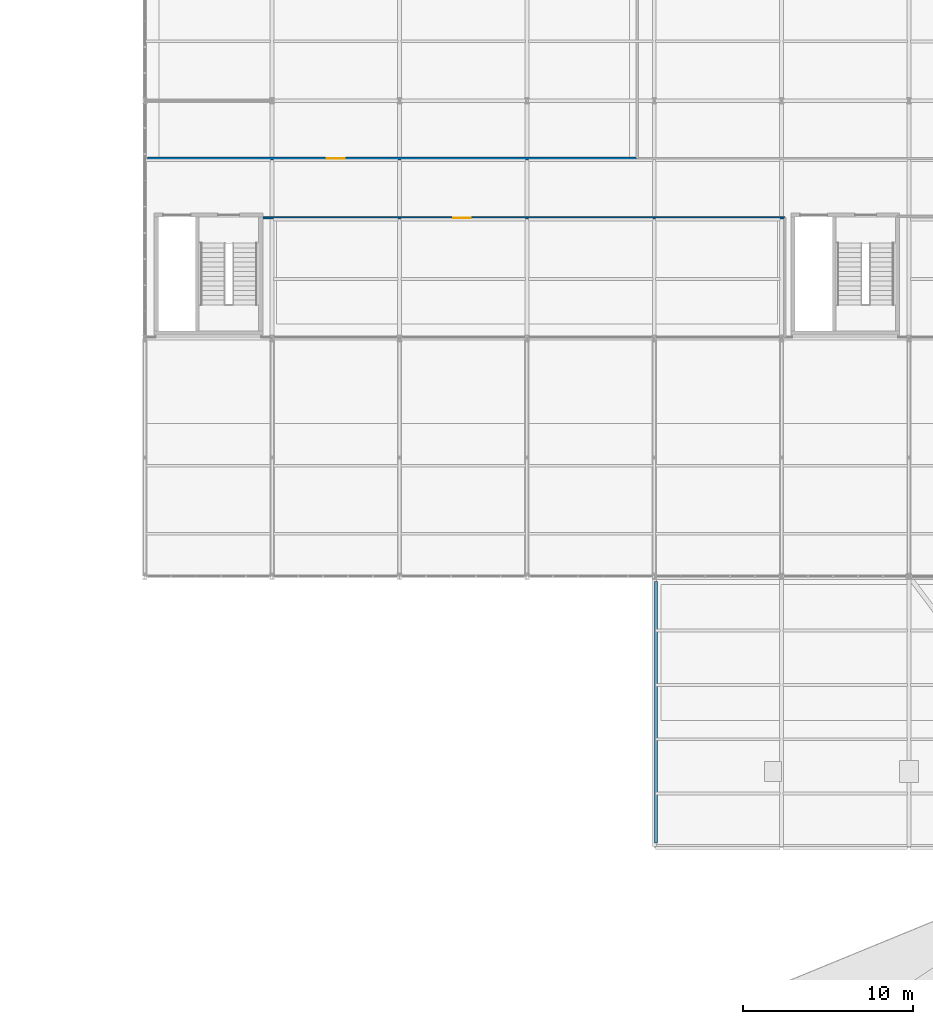
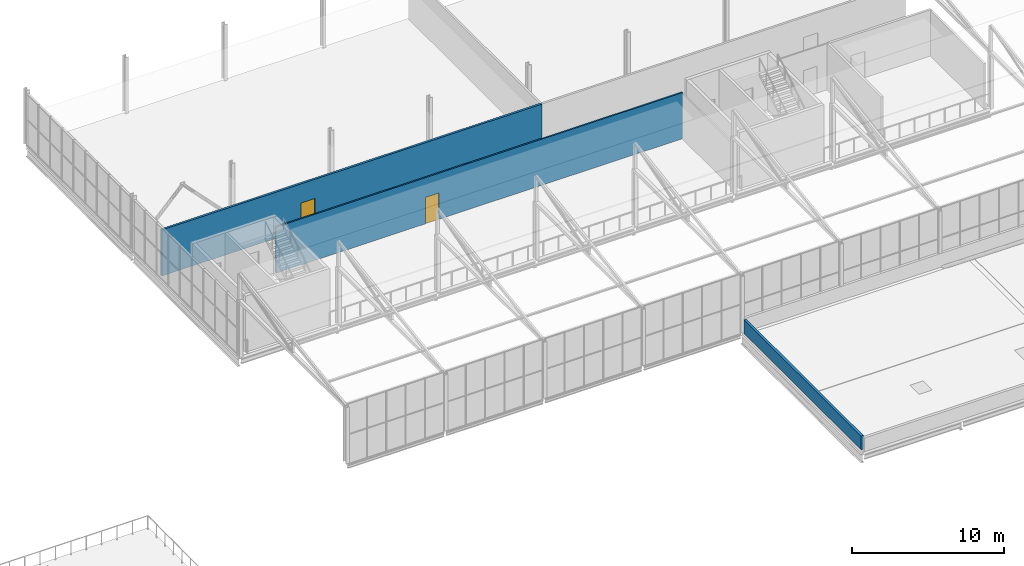
# One storey, part 97 of 104: 3 walls, 2 doors, 2 openings.
"""IFC4 building model written with IfcOpenShell, lengths in metres."""

import ifcopenshell
import ifcopenshell.guid

model = None  # the IFC model being written
_history = None  # IfcOwnerHistory: only IFC2X3 demands one
_inside = {}  # id of a spatial element -> (the spatial element, [elements in it])
_under = {}  # id of a project, library or spatial element -> (it, [spatial elements below it])
_declared = {}  # id of a project -> (the project, [libraries it declares])
_typed = {}  # id of a type object -> (the type object, [elements of that type])
_made_of = {}  # id of a material, layer set ... -> (it, [elements and type objects made of it])


def new_model(schema):
    """Start an empty IFC model of exactly this schema.

    Asked for "IFC4X3", IfcOpenShell would pick the latest addendum, in which some entities
    have other attributes; the version numbers below select the first issue.
    IFC2X3 requires an IfcOwnerHistory on every rooted entity: one is made here for all.
    """
    global model, _history
    if schema == "IFC4X3":
        model = ifcopenshell.file(schema_version=(4, 3, 0, 0))
    else:
        model = ifcopenshell.file(schema=schema)
    _inside.clear()
    _under.clear()
    _declared.clear()
    _typed.clear()
    _made_of.clear()
    _history = None
    if model.schema == "IFC2X3":
        org = make("IfcOrganization", Name="unknown")
        user = make(
            "IfcPersonAndOrganization",
            ThePerson=make("IfcPerson", FamilyName="unknown"),
            TheOrganization=org,
        )
        app = make(
            "IfcApplication",
            ApplicationDeveloper=org,
            Version="unknown",
            ApplicationFullName="unknown",
            ApplicationIdentifier="unknown",
        )
        _history = make(
            "IfcOwnerHistory",
            OwningUser=user,
            OwningApplication=app,
            ChangeAction="ADDED",
            CreationDate=0,
        )
    return model


def make(cls, **values):
    """One entity of the class cls with the attributes given. An attribute that is None is left unset."""
    return model.create_entity(
        cls, **{name: value for name, value in values.items() if value is not None}
    )


def rooted(cls, **values):
    """An entity with a GlobalId (a new one), such as an element, a storey or a relation."""
    return make(cls, GlobalId=ifcopenshell.guid.new(), OwnerHistory=_history, **values)


def si_unit(unit_type, name, prefix=None):
    """IfcSIUnit, for example si_unit("LENGTHUNIT", "METRE", prefix="MILLI")."""
    return make("IfcSIUnit", UnitType=unit_type, Prefix=prefix, Name=name)


def assignment(units):
    """IfcUnitAssignment: the units of a project."""
    return None if units is None else make("IfcUnitAssignment", Units=units)


def point(xyz):
    """IfcCartesianPoint."""
    return None if xyz is None else make("IfcCartesianPoint", Coordinates=xyz)


def direction(xyz):
    """IfcDirection."""
    return None if xyz is None else make("IfcDirection", DirectionRatios=xyz)


def frame(location, z_axis=None, x_axis=None):
    """IfcAxis2Placement3D, a coordinate frame: its origin and axes. An axis left out is left unset."""
    return make(
        "IfcAxis2Placement3D",
        Location=point(location),
        Axis=direction(z_axis),
        RefDirection=direction(x_axis),
    )


def frame_2d(location, x_axis=None):
    """IfcAxis2Placement2D, a coordinate frame in the plane: its origin and x axis."""
    return make(
        "IfcAxis2Placement2D", Location=point(location), RefDirection=direction(x_axis)
    )


def origin():
    """The frame at (0, 0, 0) with its axes left unset."""
    return frame((0.0, 0.0, 0.0))


def place(relative_to, where):
    """IfcLocalPlacement: puts the frame where relative to a parent placement (None: the world)."""
    return make(
        "IfcLocalPlacement", PlacementRelTo=relative_to, RelativePlacement=where
    )


def context(
    kind, dimensions, precision=None, world=None, true_north=None, identifier=None
):
    """IfcGeometricRepresentationContext, for example the 3D "Model" context."""
    return make(
        "IfcGeometricRepresentationContext",
        ContextIdentifier=identifier,
        ContextType=kind,
        CoordinateSpaceDimension=dimensions,
        Precision=precision,
        WorldCoordinateSystem=world,
        TrueNorth=true_north,
    )


def subcontext(parent, identifier, kind, view, scale=None):
    """IfcGeometricRepresentationSubContext, for example "Body" below "Model"."""
    return make(
        "IfcGeometricRepresentationSubContext",
        ContextIdentifier=identifier,
        ContextType=kind,
        ParentContext=parent,
        TargetScale=scale,
        TargetView=view,
    )


def project(units=None, contexts=None):
    """IfcProject with its units and contexts."""
    return rooted(
        "IfcProject",
        Name="project",
        RepresentationContexts=contexts,
        UnitsInContext=assignment(units),
    )


def spatial(cls, under=None, at=None, **own):
    """A site, building, storey or space (cls), placed at a placement, below another one or the project."""
    s = rooted(cls, ObjectPlacement=at, **own)
    if under is not None:
        _under.setdefault(under.id(), (under, []))[1].append(s)
    return s


def profile(cls, at=None, kind="AREA", **sizes):
    """A parametric profile (cls). Its sizes go by their IFC names, for example OverallWidth=200.0."""
    return make(cls, ProfileType=kind, Position=at, **sizes)


def rectangle(**sizes):
    """IfcRectangleProfileDef."""
    return profile("IfcRectangleProfileDef", **sizes)


def extrude(swept, where, along, depth):
    """IfcExtrudedAreaSolid: the profile swept, set in the frame where, extruded along a direction by depth."""
    return make(
        "IfcExtrudedAreaSolid",
        SweptArea=swept,
        Position=where,
        ExtrudedDirection=direction(along),
        Depth=depth,
    )


def shape(context_of_items, identifier, shape_type, items):
    """IfcShapeRepresentation: the items that make up one representation, for example the "Body"."""
    return make(
        "IfcShapeRepresentation",
        ContextOfItems=context_of_items,
        RepresentationIdentifier=identifier,
        RepresentationType=shape_type,
        Items=items,
    )


def material(Name=None, Category=None):
    """IfcMaterial."""
    return make("IfcMaterial", Name=Name, Category=Category)


def layer(
    of_material, thickness, ventilated=None, Name=None, Category=None, Priority=None
):
    """IfcMaterialLayer: one layer of a wall or slab, of a material (None: an air gap)."""
    return make(
        "IfcMaterialLayer",
        Material=of_material,
        LayerThickness=thickness,
        IsVentilated=ventilated,
        Name=Name,
        Category=Category,
        Priority=Priority,
    )


def layer_set(layers, Name=None):
    """IfcMaterialLayerSet."""
    return make("IfcMaterialLayerSet", MaterialLayers=layers, LayerSetName=Name)


def made_of(thing, what):
    """Note that an element or type object is made of a material, layer set ...; save() writes the relation."""
    if what is not None:
        _made_of.setdefault(what.id(), (what, []))[1].append(thing)
    return thing


def type_object(cls, material=None, **own):
    """A type object (cls), such as IfcWallType, which elements share."""
    return made_of(rooted(cls, **own), material)


def element(
    cls,
    number,
    at=None,
    inside=None,
    cuts=None,
    type_object=None,
    material=None,
    context=None,
    identifier="Body",
    shape_type=None,
    held_by="IfcProductDefinitionShape",
    body=None,
    shapes=None,
    **own,
):
    """One element of the class cls, such as IfcWall. Its Tag is "e" and its number.

    at: its placement. inside: the storey or other place that contains it. cuts: it is an
    opening in that element (IfcRelVoidsElement). A single representation is given by context,
    identifier, shape_type and body (its items); several are given by shapes. held_by: the class
    of the entity that holds the representations. save() writes the other relations.
    """
    e = rooted(cls, Tag="e%d" % number, ObjectPlacement=at, **own)
    if body is not None:
        shapes = [shape(context, identifier, shape_type, body)]
    if shapes is not None:
        e.Representation = make(held_by, Representations=shapes)
    if inside is not None:
        _inside.setdefault(inside.id(), (inside, []))[1].append(e)
    if cuts is not None:
        rooted(
            "IfcRelVoidsElement", RelatingBuildingElement=cuts, RelatedOpeningElement=e
        )
    if type_object is not None:
        _typed.setdefault(type_object.id(), (type_object, []))[1].append(e)
    return made_of(e, material)


def fill(opening, filler):
    """IfcRelFillsElement: the door or window that sits in an opening."""
    return rooted(
        "IfcRelFillsElement",
        RelatingOpeningElement=opening,
        RelatedBuildingElement=filler,
    )


def aggregate(whole, parts):
    """IfcRelAggregates: a whole, such as a stair, and the parts it consists of."""
    return rooted("IfcRelAggregates", RelatingObject=whole, RelatedObjects=parts)


def save(model, path):
    """Write the relations noted so far, then the file.

    IfcRelAggregates (storeys below a building ...), IfcRelContainedInSpatialStructure (elements
    in a storey), IfcRelDefinesByType, IfcRelAssociatesMaterial and IfcRelDeclares: one each for
    every whole, place, type object, material and project.
    """
    for whole, parts in _under.values():
        aggregate(whole, parts)
    for where, things in _inside.values():
        rooted(
            "IfcRelContainedInSpatialStructure",
            RelatedElements=things,
            RelatingStructure=where,
        )
    for kind, things in _typed.values():
        rooted("IfcRelDefinesByType", RelatedObjects=things, RelatingType=kind)
    for what, things in _made_of.values():
        rooted("IfcRelAssociatesMaterial", RelatedObjects=things, RelatingMaterial=what)
    for by, libraries in _declared.values():
        rooted("IfcRelDeclares", RelatingContext=by, RelatedDefinitions=libraries)
    model.write(path)


model = new_model("IFC4")

# Units and contexts
model_context = context("Model", 3, precision=1e-05, world=origin(), true_north=direction((0.0, 1.0)))
body_context = subcontext(model_context, "Body", "Model", "MODEL_VIEW")
ifc_project = project(units=[si_unit("LENGTHUNIT", "METRE"), si_unit("AREAUNIT", "SQUARE_METRE"), si_unit("VOLUMEUNIT", "CUBIC_METRE"), si_unit("PLANEANGLEUNIT", "RADIAN"), si_unit("MASSUNIT", "GRAM", prefix="KILO")], contexts=[model_context])

# Site, building, storey
site_placement = place(None, origin())
site = spatial("IfcSite", under=ifc_project, at=site_placement, CompositionType="ELEMENT")
building_placement = place(site_placement, origin())
building = spatial("IfcBuilding", under=site, at=building_placement, Name="Solvenia Promenade Tram Depot", CompositionType="ELEMENT")
storey_placement = place(building_placement, frame((0.0, 0.0, 9.0)))
storey = spatial("IfcBuildingStorey", under=building, at=storey_placement, Name="L02", CompositionType="ELEMENT", Elevation=9.0)

# Wall, opening, door
ifc_material_1 = material(Name="Concrete blockwork masonry", Category="masonry")
ifc_layer_1 = layer(ifc_material_1, 0.159912109375, Name="Concrete blockwork masonry", Category="masonry")
ifc_layer_set_1 = layer_set([ifc_layer_1], Name="Concrete blockwork masonry")
wall_type_1 = type_object("IfcWallType", Name="Wall-Masonry-160", PredefinedType="PARTITIONING", material=ifc_layer_set_1)
wall_1_placement = place(storey_placement, frame((105.159912109375, 48.60009765625, 0.0), z_axis=(0.0, 0.0, 1.0), x_axis=(1.0, 0.0, 0.0)))
wall_1 = element("IfcWall", 1, at=wall_1_placement, inside=storey, type_object=wall_type_1, Name="Signalling Laboratory Partition WP-L02-100", PredefinedType="PARTITIONING", context=body_context, shape_type="SweptSolid", body=[
    extrude(rectangle(XDim=28.840087890625, YDim=0.159912109375, at=frame_2d((14.419921875, 0.0))), origin(), (0.0, 0.0, 1.0), 3.699951171875),
])
opening_1_placement = place(wall_1_placement, frame((10.549072265625, 0.0, 0.0)))
opening_1 = element("IfcOpeningElement", 2, at=opening_1_placement, cuts=wall_1, Name="Opening DR-15", PredefinedType="OPENING", context=body_context, shape_type="SweptSolid", body=[
    extrude(rectangle(XDim=1.080078125, YDim=2.159912109375, at=frame_2d((0.5400390625, 1.080078125))), frame((0.0, 0.08984375, 0.0), z_axis=(0.0, -1.0, 0.0), x_axis=(1.0, 0.0, 0.0)), (0.0, 0.0, 1.0), 0.179931640625),
])
ifc_material_2 = material(Name="Galvanized painted sheet steel", Category="steel")
door_type_1 = type_object("IfcDoorType", Name="Door-Room-1080x2160", OperationType="NOTDEFINED", PredefinedType="DOOR", material=ifc_material_2)
door_1_placement = place(opening_1_placement, origin())
door_1 = element("IfcDoor", 3, at=door_1_placement, inside=storey, type_object=door_type_1, Name="Door to Signalling Laboratory", OperationType="SINGLE_SWING_LEFT", OverallHeight=2.159912109375, OverallWidth=1.080078125, PredefinedType="DOOR", context=body_context, shape_type="SweptSolid", body=[
    extrude(rectangle(XDim=1.080078125, YDim=2.159912109375, at=frame_2d((0.5400390625, 1.080078125))), frame((0.0, 0.02490234375, 0.0), z_axis=(0.0, -1.0, 0.0), x_axis=(1.0, 0.0, 0.0)), (0.0, 0.0, 1.0), 0.050048828125),
])
fill(opening_1, door_1)

# Wall
ifc_material_3 = material(Name="Concrete C28/35", Category="concrete")
ifc_layer_2 = layer(ifc_material_3, 0.179931640625, Name="Concrete C28/35", Category="concrete")
ifc_layer_set_2 = layer_set([ifc_layer_2], Name="Concrete C28/35")
wall_type_2 = type_object("IfcWallType", Name="Wall-Parapet-180", PredefinedType="PARAPET", material=ifc_layer_set_2)
wall_2_placement = place(storey_placement, frame((135.10009765625, 23.699951171875, 0.0), z_axis=(0.0, 0.0, 1.0), x_axis=(0.0, -1.0, 0.0)))
element("IfcWall", 4, at=wall_2_placement, inside=storey, type_object=wall_type_2, Name="Roof Parapet Wall EW-L02-099", PredefinedType="PARAPET", context=body_context, shape_type="SweptSolid", body=[
    extrude(rectangle(XDim=15.39990234375, YDim=0.179931640625, at=frame_2d((7.699951171875, 0.0))), origin(), (0.0, 0.0, 1.0), 1.10009765625),
])

# Wall, opening, door
ifc_material_4 = material(Name="Gypsum board acoustic partition", Category="other")
ifc_layer_3 = layer(ifc_material_4, 0.114013671875, Name="Gypsum board acoustic partition", Category="other")
ifc_layer_set_3 = layer_set([ifc_layer_3], Name="Gypsum board acoustic partition")
wall_type_3 = type_object("IfcWallType", Name="Wall-Part-114", PredefinedType="PARTITIONING", material=ifc_layer_set_3)
wall_3_placement = place(storey_placement, frame((111.824951171875, 45.10009765625, 0.0), z_axis=(0.0, 0.0, 1.0), x_axis=(1.0, 0.0, 0.0)))
wall_3 = element("IfcWall", 5, at=wall_3_placement, inside=storey, type_object=wall_type_3, Name="Metrology Calibration Room Partition WP-L02-094", PredefinedType="PARTITIONING", context=body_context, shape_type="SweptSolid", body=[
    extrude(rectangle(XDim=30.875, YDim=0.114013671875, at=frame_2d((15.4375, 0.0))), origin(), (0.0, 0.0, 1.0), 3.699951171875),
])
opening_2_placement = place(wall_3_placement, frame((11.344970703125, 0.0, 0.0)))
opening_2 = element("IfcOpeningElement", 6, at=opening_2_placement, cuts=wall_3, Name="Opening DR-12", PredefinedType="OPENING", context=body_context, shape_type="SweptSolid", body=[
    extrude(rectangle(XDim=1.02001953125, YDim=2.1201171875, at=frame_2d((0.510009765625, 1.06005859375))), frame((0.0, 0.06689453125, 0.0), z_axis=(0.0, -1.0, 0.0), x_axis=(1.0, 0.0, 0.0)), (0.0, 0.0, 1.0), 0.134033203125),
])
door_type_2 = type_object("IfcDoorType", Name="Door-Room-1020x2120", OperationType="NOTDEFINED", PredefinedType="DOOR", material=ifc_material_2)
door_2_placement = place(opening_2_placement, origin())
door_2 = element("IfcDoor", 7, at=door_2_placement, inside=storey, type_object=door_type_2, Name="Door to Metrology Calibration Room", OperationType="SINGLE_SWING_RIGHT", OverallHeight=2.1201171875, OverallWidth=1.02001953125, PredefinedType="DOOR", context=body_context, shape_type="SweptSolid", body=[
    extrude(rectangle(XDim=1.02001953125, YDim=2.1201171875, at=frame_2d((0.510009765625, 1.06005859375))), frame((0.0, 0.02490234375, 0.0), z_axis=(0.0, -1.0, 0.0), x_axis=(1.0, 0.0, 0.0)), (0.0, 0.0, 1.0), 0.050048828125),
])
fill(opening_2, door_2)

save(model, "model.ifc")
